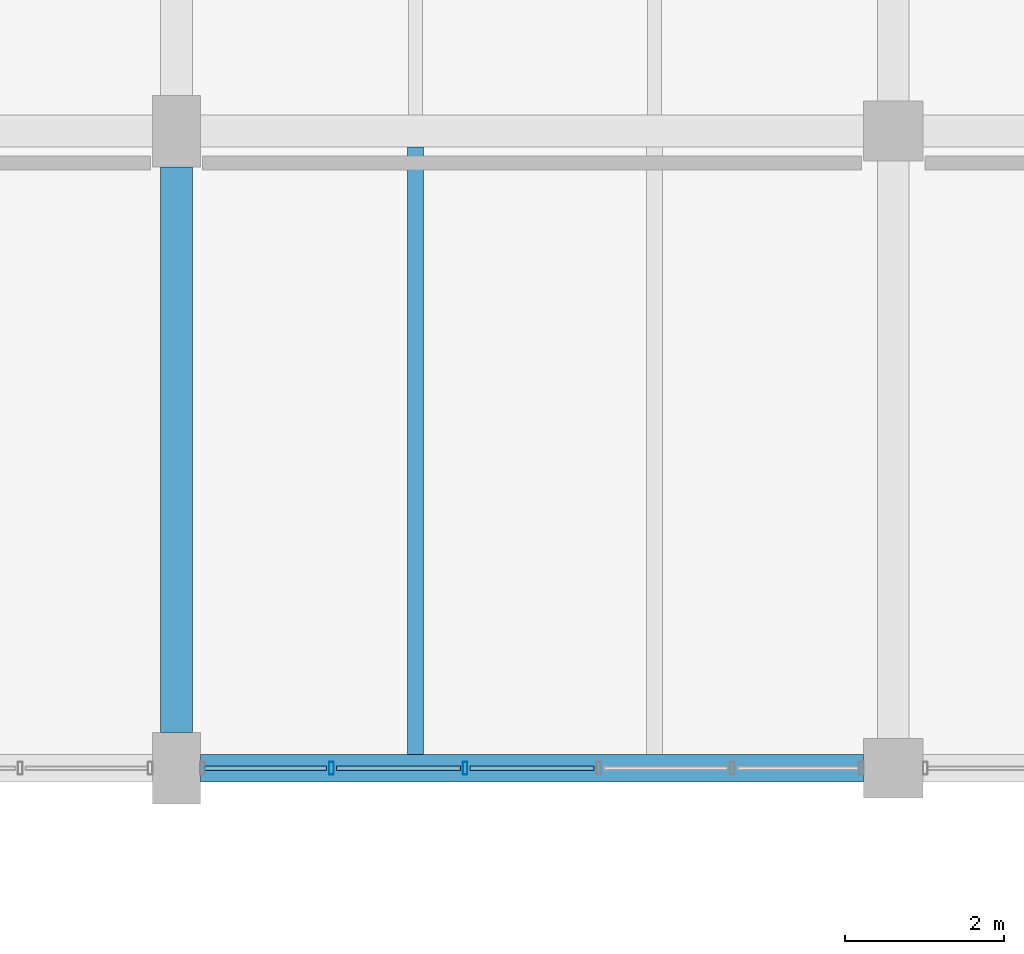
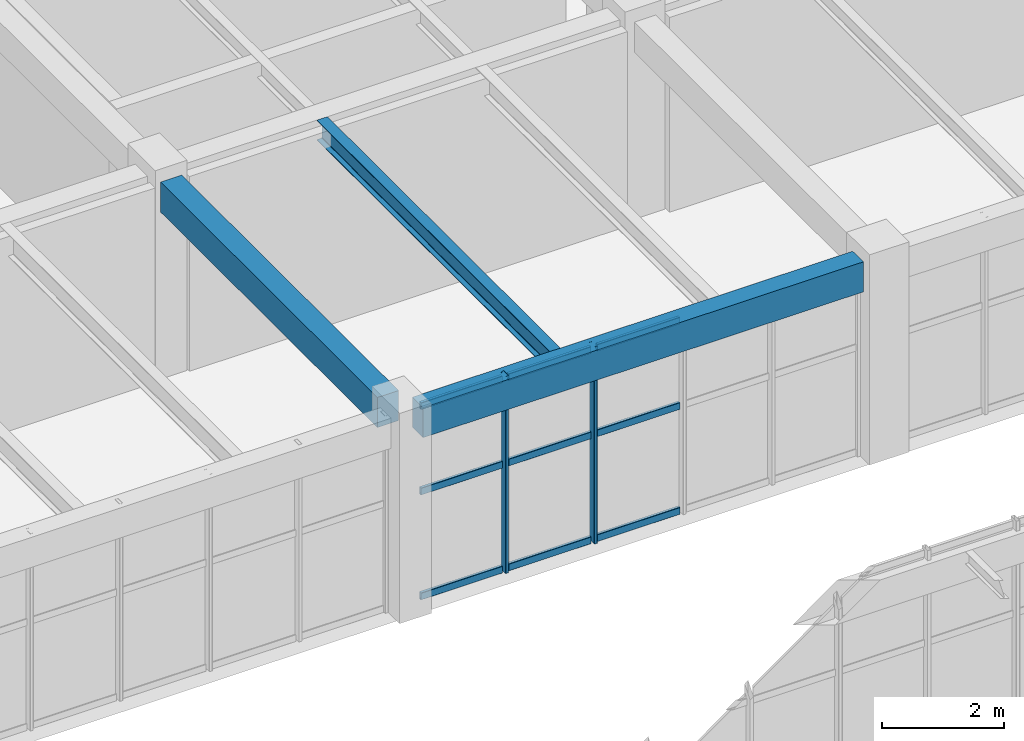
# One storey, part 65 of 148: 11 members, 3 beams, 1 element without a shape of its own.
"""IFC4 building model written with IfcOpenShell, lengths in metres."""

from ifc_helpers import new_model, si_unit, derived_unit, direction, frame, origin, origin_2d, place, context, subcontext, project, spatial, rectangle, hollow_rectangle, i_section, extrude, material, material_profile, profile_set, type_object, element, aggregate, save


model = new_model("IFC4")

# Units and contexts
model_context = context("Model", 3, precision=1e-05, world=origin(), true_north=direction((0.0, 1.0)))
body_context = subcontext(model_context, "Body", "Model", "MODEL_VIEW")
ifc_project = project(units=[si_unit("LENGTHUNIT", "METRE"), si_unit("AREAUNIT", "SQUARE_METRE"), si_unit("VOLUMEUNIT", "CUBIC_METRE"), si_unit("PLANEANGLEUNIT", "RADIAN"), si_unit("MASSUNIT", "GRAM", prefix="KILO"), derived_unit("THERMALTRANSMITTANCEUNIT", [(si_unit("MASSUNIT", "GRAM", prefix="KILO"), 1), (si_unit("TIMEUNIT", "SECOND"), -3), (si_unit("THERMODYNAMICTEMPERATUREUNIT", "KELVIN"), -1)])], contexts=[model_context])

# Site, building, storey
site_placement = place(None, origin())
site = spatial("IfcSite", under=ifc_project, at=site_placement, CompositionType="ELEMENT")
building_placement = place(site_placement, origin())
building = spatial("IfcBuilding", under=site, at=building_placement, Name="Zhenchuan Archway Interchange", CompositionType="ELEMENT")
storey_placement = place(building_placement, frame((0.0, 0.0, 10.199951171875)))
storey = spatial("IfcBuildingStorey", under=building, at=storey_placement, Name="L02", CompositionType="ELEMENT", Elevation=10.199951171875)

# Beam
ifc_material_1 = material(Name="Concrete C40", Category="concrete")
ifc_material_profile_1 = material_profile(ifc_material_1, rectangle(XDim=0.39990234375, YDim=0.60009765625, at=origin_2d()), Name="RC 400x600")
ifc_profile_set_1 = profile_set([ifc_material_profile_1], Name="Concrete C40")
beam_type_1 = type_object("IfcBeamType", Name="BM_RC_400x600", PredefinedType="BEAM", material=ifc_profile_set_1)
beam_1_placement = place(storey_placement, frame((27.0, 96.449951171875, 3.64013671875), z_axis=(0.0, 1.0, 0.0), x_axis=(-1.0, 0.0, 0.0)))
element("IfcBeam", 1, at=beam_1_placement, inside=storey, type_object=beam_type_1, Name="Beam 4:N-O (L02)", PredefinedType="BEAM", context=body_context, shape_type="SweptSolid", body=[
    extrude(rectangle(XDim=0.39990234375, YDim=0.60009765625, at=origin_2d()), origin(), (0.0, 0.0, 1.0), 7.10009765625),
])

# Curtain wall, members
ifc_material_2 = material(Name="Anodised Aluminium", Category="aluminium")
curtain_wall_type = type_object("IfcCurtainWallType", Name="CW_UNIT_4", PredefinedType="NOTDEFINED", material=ifc_material_2)
curtain_wall_placement = place(storey_placement, origin())
curtain_wall = element("IfcCurtainWall", 2, at=curtain_wall_placement, inside=storey, type_object=curtain_wall_type, Name="Unitised curtain wall CW:L02:135", PredefinedType="NOTDEFINED")
ifc_material_profile_2 = material_profile(ifc_material_2, hollow_rectangle(XDim=0.06005859375, YDim=0.159912109375, WallThickness=0.00390625, InnerFilletRadius=0.00390625, OuterFilletRadius=0.008056640625, at=origin_2d()), Name="ALU 160x60x4")
ifc_profile_set_2 = profile_set([ifc_material_profile_2], Name="Anodised Aluminium")
member_type_1 = type_object("IfcMemberType", Name="CW_MUL_150", PredefinedType="MULLION", material=ifc_profile_set_2)
member_1_placement = place(storey_placement, frame((30.62353515625, 96.0, 0.0), z_axis=(0.0, 0.0, 1.0), x_axis=(1.0, 0.0, 0.0)))
member_1 = element("IfcMember", 3, at=member_1_placement, type_object=member_type_1, Name="CW:L02:135 mullion 3", PredefinedType="MULLION", context=body_context, shape_type="SweptSolid", body=[
    extrude(hollow_rectangle(XDim=0.06005859375, YDim=0.159912109375, WallThickness=0.00390625, InnerFilletRadius=0.00390625, OuterFilletRadius=0.008056640625, at=origin_2d()), origin(), (0.0, 0.0, 1.0), 3.93994140625),
])
member_2_placement = place(storey_placement, frame((28.94580078125, 96.0, 0.0), z_axis=(0.0, 0.0, 1.0), x_axis=(1.0, 0.0, 0.0)))
member_2 = element("IfcMember", 4, at=member_2_placement, type_object=member_type_1, Name="CW:L02:135 mullion 4", PredefinedType="MULLION", context=body_context, shape_type="SweptSolid", body=[
    extrude(hollow_rectangle(XDim=0.06005859375, YDim=0.159912109375, WallThickness=0.00390625, InnerFilletRadius=0.00390625, OuterFilletRadius=0.008056640625, at=origin_2d()), origin(), (0.0, 0.0, 1.0), 3.93994140625),
])
ifc_material_profile_3 = material_profile(ifc_material_2, hollow_rectangle(XDim=0.06005859375, YDim=0.139892578125, WallThickness=0.00341796875, InnerFilletRadius=0.00341796875, OuterFilletRadius=0.007080078125, at=origin_2d()), Name="ALU 140x60x3.5")
ifc_profile_set_3 = profile_set([ifc_material_profile_3], Name="Anodised Aluminium")
member_type_2 = type_object("IfcMemberType", Name="CW_TRN_140", PredefinedType="USERDEFINED", material=ifc_profile_set_3)
member_3_placement = place(storey_placement, frame((32.241455078125, 96.0, 0.06005859375), z_axis=(-1.0, 0.0, 0.0), x_axis=(0.0, -1.0, 0.0)))
member_3 = element("IfcMember", 5, at=member_3_placement, type_object=member_type_2, Name="CW:L02:135 transom 2-1", ObjectType="TRANSOM", PredefinedType="USERDEFINED", context=body_context, shape_type="SweptSolid", body=[
    extrude(hollow_rectangle(XDim=0.06005859375, YDim=0.139892578125, WallThickness=0.00341796875, InnerFilletRadius=0.00341796875, OuterFilletRadius=0.007080078125, at=origin_2d()), origin(), (0.0, 0.0, 1.0), 1.557861328125),
])
member_4_placement = place(storey_placement, frame((32.241455078125, 96.0, 2.156005859375), z_axis=(-1.0, 0.0, 0.0), x_axis=(0.0, -1.0, 0.0)))
member_4 = element("IfcMember", 6, at=member_4_placement, type_object=member_type_2, Name="CW:L02:135 transom 2-2", ObjectType="TRANSOM", PredefinedType="USERDEFINED", context=body_context, shape_type="SweptSolid", body=[
    extrude(hollow_rectangle(XDim=0.06005859375, YDim=0.139892578125, WallThickness=0.00341796875, InnerFilletRadius=0.00341796875, OuterFilletRadius=0.007080078125, at=origin_2d()), origin(), (0.0, 0.0, 1.0), 1.557861328125),
])
member_5_placement = place(storey_placement, frame((32.241455078125, 96.0, 3.860107421875), z_axis=(-1.0, 0.0, 0.0), x_axis=(0.0, -1.0, 0.0)))
member_5 = element("IfcMember", 7, at=member_5_placement, type_object=member_type_2, Name="CW:L02:135 transom 2-3", ObjectType="TRANSOM", PredefinedType="USERDEFINED", context=body_context, shape_type="SweptSolid", body=[
    extrude(hollow_rectangle(XDim=0.06005859375, YDim=0.139892578125, WallThickness=0.00341796875, InnerFilletRadius=0.00341796875, OuterFilletRadius=0.007080078125, at=origin_2d()), origin(), (0.0, 0.0, 1.0), 1.557861328125),
])
member_6_placement = place(storey_placement, frame((30.563720703125, 96.0, 0.06005859375), z_axis=(-1.0, 0.0, 0.0), x_axis=(0.0, -1.0, 0.0)))
member_6 = element("IfcMember", 8, at=member_6_placement, type_object=member_type_2, Name="CW:L02:135 transom 3-1", ObjectType="TRANSOM", PredefinedType="USERDEFINED", context=body_context, shape_type="SweptSolid", body=[
    extrude(hollow_rectangle(XDim=0.06005859375, YDim=0.139892578125, WallThickness=0.00341796875, InnerFilletRadius=0.00341796875, OuterFilletRadius=0.007080078125, at=origin_2d()), origin(), (0.0, 0.0, 1.0), 1.557861328125),
])
member_7_placement = place(storey_placement, frame((30.563720703125, 96.0, 2.156005859375), z_axis=(-1.0, 0.0, 0.0), x_axis=(0.0, -1.0, 0.0)))
member_7 = element("IfcMember", 9, at=member_7_placement, type_object=member_type_2, Name="CW:L02:135 transom 3-2", ObjectType="TRANSOM", PredefinedType="USERDEFINED", context=body_context, shape_type="SweptSolid", body=[
    extrude(hollow_rectangle(XDim=0.06005859375, YDim=0.139892578125, WallThickness=0.00341796875, InnerFilletRadius=0.00341796875, OuterFilletRadius=0.007080078125, at=origin_2d()), origin(), (0.0, 0.0, 1.0), 1.557861328125),
])
member_8_placement = place(storey_placement, frame((30.563720703125, 96.0, 3.860107421875), z_axis=(-1.0, 0.0, 0.0), x_axis=(0.0, -1.0, 0.0)))
member_8 = element("IfcMember", 10, at=member_8_placement, type_object=member_type_2, Name="CW:L02:135 transom 3-3", ObjectType="TRANSOM", PredefinedType="USERDEFINED", context=body_context, shape_type="SweptSolid", body=[
    extrude(hollow_rectangle(XDim=0.06005859375, YDim=0.139892578125, WallThickness=0.00341796875, InnerFilletRadius=0.00341796875, OuterFilletRadius=0.007080078125, at=origin_2d()), origin(), (0.0, 0.0, 1.0), 1.557861328125),
])
member_9_placement = place(storey_placement, frame((28.8857421875, 96.0, 0.06005859375), z_axis=(-1.0, 0.0, 0.0), x_axis=(0.0, -1.0, 0.0)))
member_9 = element("IfcMember", 11, at=member_9_placement, type_object=member_type_2, Name="CW:L02:135 transom 4-1", ObjectType="TRANSOM", PredefinedType="USERDEFINED", context=body_context, shape_type="SweptSolid", body=[
    extrude(hollow_rectangle(XDim=0.06005859375, YDim=0.139892578125, WallThickness=0.00341796875, InnerFilletRadius=0.00341796875, OuterFilletRadius=0.007080078125, at=origin_2d()), origin(), (0.0, 0.0, 1.0), 1.537841796875),
])
member_10_placement = place(storey_placement, frame((28.8857421875, 96.0, 2.156005859375), z_axis=(-1.0, 0.0, 0.0), x_axis=(0.0, -1.0, 0.0)))
member_10 = element("IfcMember", 12, at=member_10_placement, type_object=member_type_2, Name="CW:L02:135 transom 4-2", ObjectType="TRANSOM", PredefinedType="USERDEFINED", context=body_context, shape_type="SweptSolid", body=[
    extrude(hollow_rectangle(XDim=0.06005859375, YDim=0.139892578125, WallThickness=0.00341796875, InnerFilletRadius=0.00341796875, OuterFilletRadius=0.007080078125, at=origin_2d()), origin(), (0.0, 0.0, 1.0), 1.537841796875),
])
member_11_placement = place(storey_placement, frame((28.8857421875, 96.0, 3.860107421875), z_axis=(-1.0, 0.0, 0.0), x_axis=(0.0, -1.0, 0.0)))
member_11 = element("IfcMember", 13, at=member_11_placement, type_object=member_type_2, Name="CW:L02:135 transom 4-3", ObjectType="TRANSOM", PredefinedType="USERDEFINED", context=body_context, shape_type="SweptSolid", body=[
    extrude(hollow_rectangle(XDim=0.06005859375, YDim=0.139892578125, WallThickness=0.00341796875, InnerFilletRadius=0.00341796875, OuterFilletRadius=0.007080078125, at=origin_2d()), origin(), (0.0, 0.0, 1.0), 1.537841796875),
])
aggregate(curtain_wall, [member_1, member_2, member_3, member_4, member_5, member_6, member_7, member_8, member_9, member_10, member_11])

# Beams
ifc_material_3 = material(Name="Steel Q355", Category="steel")
ifc_material_profile_4 = material_profile(ifc_material_3, i_section(OverallWidth=0.199951171875, OverallDepth=0.39990234375, WebThickness=0.008056640625, FlangeThickness=0.012939453125, FilletRadius=0.01611328125, at=origin_2d()), Name="HN 400x200")
ifc_profile_set_4 = profile_set([ifc_material_profile_4], Name="Steel Q355")
beam_type_2 = type_object("IfcBeamType", Name="JST_STL_HN400", PredefinedType="JOIST", material=ifc_profile_set_4)
beam_2_placement = place(storey_placement, frame((30.0, 96.175048828125, 3.739990234375), z_axis=(0.0, 1.0, 0.0), x_axis=(-1.0, 0.0, 0.0)))
element("IfcBeam", 14, at=beam_2_placement, inside=storey, type_object=beam_type_2, Name="Secondary joist 4-5/N-O #1 (L02)", PredefinedType="JOIST", context=body_context, shape_type="SweptSolid", body=[
    extrude(i_section(OverallWidth=0.199951171875, OverallDepth=0.39990234375, WebThickness=0.008056640625, FlangeThickness=0.012939453125, FilletRadius=0.01611328125, at=origin_2d()), origin(), (0.0, 0.0, 1.0), 7.625),
])
ifc_material_profile_5 = material_profile(ifc_material_1, rectangle(XDim=0.35009765625, YDim=0.60009765625, at=origin_2d()), Name="RC 350x600")
ifc_profile_set_5 = profile_set([ifc_material_profile_5], Name="Concrete C40")
beam_type_3 = type_object("IfcBeamType", Name="SP_RC_350x600", PredefinedType="SPANDREL", material=ifc_profile_set_5)
beam_3_placement = place(storey_placement, frame((27.300048828125, 96.0, 3.64013671875), z_axis=(1.0, 0.0, 0.0), x_axis=(0.0, 1.0, 0.0)))
element("IfcBeam", 15, at=beam_3_placement, inside=storey, type_object=beam_type_3, Name="Beam N:4-5 (L02)", PredefinedType="SPANDREL", context=body_context, shape_type="SweptSolid", body=[
    extrude(rectangle(XDim=0.35009765625, YDim=0.60009765625, at=origin_2d()), origin(), (0.0, 0.0, 1.0), 8.324951171875),
])

save(model, "model.ifc")
